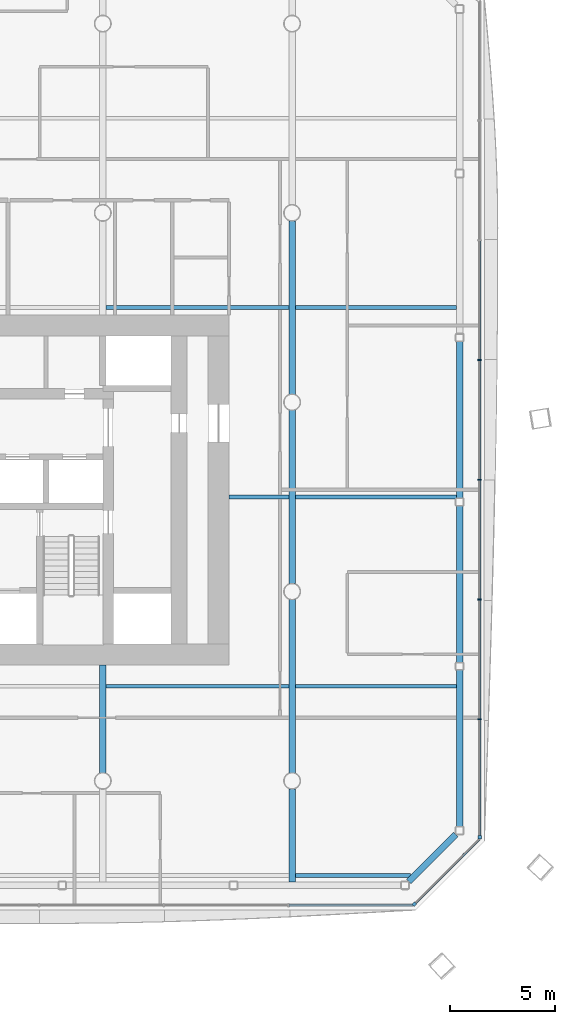
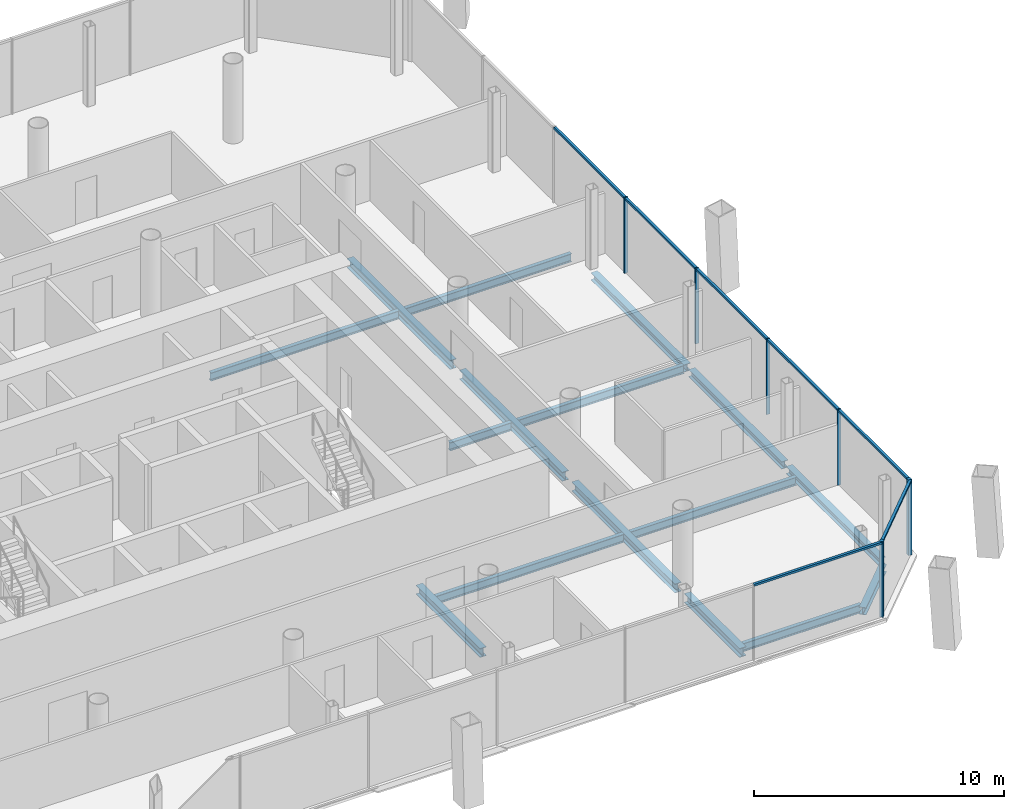
# One storey, part 6 of 19: 16 beams, 13 members, 3 elements without a shape of their own.
"""IFC4 building model written with IfcOpenShell, lengths in metres."""

from ifc_helpers import new_model, si_unit, direction, frame, origin, origin_2d, place, context, subcontext, project, spatial, rectangle, i_section, extrude, material, material_profile, profile_set, type_object, element, aggregate, save


model = new_model("IFC4")

# Units and contexts
model_context = context("Model", 3, precision=1e-05, world=origin(), true_north=direction((0.0, 1.0)))
body_context = subcontext(model_context, "Body", "Model", "MODEL_VIEW")
ifc_project = project(units=[si_unit("LENGTHUNIT", "METRE"), si_unit("AREAUNIT", "SQUARE_METRE"), si_unit("VOLUMEUNIT", "CUBIC_METRE"), si_unit("PLANEANGLEUNIT", "RADIAN"), si_unit("MASSUNIT", "GRAM", prefix="KILO")], contexts=[model_context])

# Site, building, storey
site_placement = place(None, origin())
site = spatial("IfcSite", under=ifc_project, at=site_placement, CompositionType="ELEMENT")
building_placement = place(site_placement, origin())
building = spatial("IfcBuilding", under=site, at=building_placement, Name="Tskaro Facet Tower", CompositionType="ELEMENT")
storey_placement = place(building_placement, frame((0.0, 0.0, 101.10009765625)))
storey = spatial("IfcBuildingStorey", under=building, at=storey_placement, Name="L24", CompositionType="ELEMENT", Elevation=101.10009765625)

# Curtain wall, member
ifc_material_1 = material(Name="Bronze anodised aluminium 6063-T6", Category="aluminium")
curtain_wall_type = type_object("IfcCurtainWallType", Name="Bronze office curtain wall (FW1)", PredefinedType="NOTDEFINED", material=ifc_material_1)
curtain_wall_1_placement = place(storey_placement, origin())
curtain_wall_1 = element("IfcCurtainWall", 1, at=curtain_wall_1_placement, inside=storey, type_object=curtain_wall_type, Name="FW1 south-east facet L24", PredefinedType="NOTDEFINED")
ifc_material_profile_1 = material_profile(ifc_material_1, rectangle(XDim=0.159912109375, YDim=0.159912109375, at=origin_2d()), Name="Corner post 160x160")
ifc_profile_set_1 = profile_set([ifc_material_profile_1], Name="Bronze anodised aluminium 6063-T6")
member_type_1 = type_object("IfcMemberType", Name="FW1 bronze corner post 160x160", PredefinedType="MULLION", material=ifc_profile_set_1)
member_1_placement = place(storey_placement, frame((23.8134765625, -23.8583984375, 0.0), z_axis=(0.0, 0.0, 1.0), x_axis=(0.707106781187, 0.707106781187, 0.0)))
member_1 = element("IfcMember", 2, at=member_1_placement, type_object=member_type_1, Name="FW1 south-east corner post", PredefinedType="MULLION", context=body_context, shape_type="SweptSolid", body=[
    extrude(rectangle(XDim=0.159912109375, YDim=0.159912109375, at=origin_2d()), origin(), (0.0, 0.0, 1.0), 3.699951171875),
])

# Curtain wall, members
curtain_wall_2_placement = place(storey_placement, origin())
curtain_wall_2 = element("IfcCurtainWall", 3, at=curtain_wall_2_placement, inside=storey, type_object=curtain_wall_type, Name="FW1 east facet L24", PredefinedType="NOTDEFINED")
member_2_placement = place(storey_placement, frame((26.9150390625, -20.677001953125, 0.0), z_axis=(0.0, 0.0, 1.0), x_axis=(0.0, 1.0, 0.0)))
member_2 = element("IfcMember", 4, at=member_2_placement, type_object=member_type_1, Name="FW1 east corner post", PredefinedType="MULLION", context=body_context, shape_type="SweptSolid", body=[
    extrude(rectangle(XDim=0.159912109375, YDim=0.159912109375, at=origin_2d()), origin(), (0.0, 0.0, 1.0), 3.699951171875),
])
ifc_material_profile_2 = material_profile(ifc_material_1, rectangle(XDim=0.06005859375, YDim=0.159912109375, at=origin_2d()), Name="Mullion 60x160")
ifc_profile_set_2 = profile_set([ifc_material_profile_2], Name="Bronze anodised aluminium 6063-T6")
member_type_2 = type_object("IfcMemberType", Name="FW1 bronze mullion 60x160", PredefinedType="MULLION", material=ifc_profile_set_2)
member_3_placement = place(storey_placement, frame((26.9150390625, -15.065673828125, 0.0), z_axis=(0.0, 0.0, 1.0), x_axis=(0.0, 1.0, 0.0)))
member_3 = element("IfcMember", 5, at=member_3_placement, type_object=member_type_2, Name="FW1 east mullion 1", PredefinedType="MULLION", context=body_context, shape_type="SweptSolid", body=[
    extrude(rectangle(XDim=0.06005859375, YDim=0.159912109375, at=origin_2d()), origin(), (0.0, 0.0, 1.0), 3.699951171875),
])
member_4_placement = place(storey_placement, frame((26.9150390625, -9.3740234375, 0.0), z_axis=(0.0, 0.0, 1.0), x_axis=(0.0, 1.0, 0.0)))
member_4 = element("IfcMember", 6, at=member_4_placement, type_object=member_type_2, Name="FW1 east mullion 2", PredefinedType="MULLION", context=body_context, shape_type="SweptSolid", body=[
    extrude(rectangle(XDim=0.06005859375, YDim=0.159912109375, at=origin_2d()), origin(), (0.0, 0.0, 1.0), 3.699951171875),
])
member_5_placement = place(storey_placement, frame((26.9150390625, -3.6826171875, 0.0), z_axis=(0.0, 0.0, 1.0), x_axis=(0.0, 1.0, 0.0)))
member_5 = element("IfcMember", 7, at=member_5_placement, type_object=member_type_2, Name="FW1 east mullion 3", PredefinedType="MULLION", context=body_context, shape_type="SweptSolid", body=[
    extrude(rectangle(XDim=0.06005859375, YDim=0.159912109375, at=origin_2d()), origin(), (0.0, 0.0, 1.0), 3.699951171875),
])
member_6_placement = place(storey_placement, frame((26.9150390625, 2.0087890625, 0.0), z_axis=(0.0, 0.0, 1.0), x_axis=(0.0, 1.0, 0.0)))
member_6 = element("IfcMember", 8, at=member_6_placement, type_object=member_type_2, Name="FW1 east mullion 4", PredefinedType="MULLION", context=body_context, shape_type="SweptSolid", body=[
    extrude(rectangle(XDim=0.06005859375, YDim=0.159912109375, at=origin_2d()), origin(), (0.0, 0.0, 1.0), 3.699951171875),
])

# Curtain wall, member
curtain_wall_3_placement = place(storey_placement, origin())
curtain_wall_3 = element("IfcCurtainWall", 9, at=curtain_wall_3_placement, inside=storey, type_object=curtain_wall_type, Name="FW1 south facet L24", PredefinedType="NOTDEFINED")
ifc_material_profile_3 = material_profile(ifc_material_1, rectangle(XDim=0.1201171875, YDim=0.10009765625, at=origin_2d()), Name="Transom 120x100")
ifc_profile_set_3 = profile_set([ifc_material_profile_3], Name="Bronze anodised aluminium 6063-T6")
member_type_3 = type_object("IfcMemberType", Name="FW1 bronze transom 120x100", PredefinedType="USERDEFINED", material=ifc_profile_set_3)
member_7_placement = place(storey_placement, frame((17.8564453125, -23.9150390625, 3.64990234375), z_axis=(1.0, 0.0, 0.0), x_axis=(0.0, 1.0, 0.0)))
member_7 = element("IfcMember", 10, at=member_7_placement, type_object=member_type_3, Name="FW1 south transom 7.1", ObjectType="TRANSOM", PredefinedType="USERDEFINED", context=body_context, shape_type="SweptSolid", body=[
    extrude(rectangle(XDim=0.1201171875, YDim=0.10009765625, at=origin_2d()), origin(), (0.0, 0.0, 1.0), 5.900634765625),
])
aggregate(curtain_wall_3, [member_7])

# Member
member_8_placement = place(storey_placement, frame((23.8701171875, -23.8017578125, 3.64990234375), z_axis=(0.707135129525, 0.707078431712, 0.0), x_axis=(-0.707078431712, 0.707135129525, 0.0)))
member_8 = element("IfcMember", 11, at=member_8_placement, type_object=member_type_3, Name="FW1 south-east transom 1.1", ObjectType="TRANSOM", PredefinedType="USERDEFINED", context=body_context, shape_type="SweptSolid", body=[
    extrude(rectangle(XDim=0.1201171875, YDim=0.10009765625, at=origin_2d()), origin(), (0.0, 0.0, 1.0), 4.305908203125),
])

aggregate(curtain_wall_1, [member_1, member_8])

member_9_placement = place(storey_placement, frame((26.9150390625, -20.596923828125, 3.64990234375), z_axis=(0.0, 1.0, 0.0), x_axis=(-1.0, 0.0, 0.0)))
member_9 = element("IfcMember", 12, at=member_9_placement, type_object=member_type_3, Name="FW1 east transom 1.1", ObjectType="TRANSOM", PredefinedType="USERDEFINED", context=body_context, shape_type="SweptSolid", body=[
    extrude(rectangle(XDim=0.1201171875, YDim=0.10009765625, at=origin_2d()), origin(), (0.0, 0.0, 1.0), 5.50146484375),
])

member_10_placement = place(storey_placement, frame((26.9150390625, -15.03564453125, 3.64990234375), z_axis=(0.0, 1.0, 0.0), x_axis=(-1.0, 0.0, 0.0)))
member_10 = element("IfcMember", 13, at=member_10_placement, type_object=member_type_3, Name="FW1 east transom 2.1", ObjectType="TRANSOM", PredefinedType="USERDEFINED", context=body_context, shape_type="SweptSolid", body=[
    extrude(rectangle(XDim=0.1201171875, YDim=0.10009765625, at=origin_2d()), origin(), (0.0, 0.0, 1.0), 5.631591796875),
])

member_11_placement = place(storey_placement, frame((26.9150390625, -9.34423828125, 3.64990234375), z_axis=(0.0, 1.0, 0.0), x_axis=(-1.0, 0.0, 0.0)))
member_11 = element("IfcMember", 14, at=member_11_placement, type_object=member_type_3, Name="FW1 east transom 3.1", ObjectType="TRANSOM", PredefinedType="USERDEFINED", context=body_context, shape_type="SweptSolid", body=[
    extrude(rectangle(XDim=0.1201171875, YDim=0.10009765625, at=origin_2d()), origin(), (0.0, 0.0, 1.0), 5.631591796875),
])

member_12_placement = place(storey_placement, frame((26.9150390625, -3.65283203125, 3.64990234375), z_axis=(0.0, 1.0, 0.0), x_axis=(-1.0, 0.0, 0.0)))
member_12 = element("IfcMember", 15, at=member_12_placement, type_object=member_type_3, Name="FW1 east transom 4.1", ObjectType="TRANSOM", PredefinedType="USERDEFINED", context=body_context, shape_type="SweptSolid", body=[
    extrude(rectangle(XDim=0.1201171875, YDim=0.10009765625, at=origin_2d()), origin(), (0.0, 0.0, 1.0), 5.631591796875),
])

member_13_placement = place(storey_placement, frame((26.9150390625, 2.038818359375, 3.64990234375), z_axis=(0.0, 1.0, 0.0), x_axis=(-1.0, 0.0, 0.0)))
member_13 = element("IfcMember", 16, at=member_13_placement, type_object=member_type_3, Name="FW1 east transom 5.1", ObjectType="TRANSOM", PredefinedType="USERDEFINED", context=body_context, shape_type="SweptSolid", body=[
    extrude(rectangle(XDim=0.1201171875, YDim=0.10009765625, at=origin_2d()), origin(), (0.0, 0.0, 1.0), 5.63134765625),
])

aggregate(curtain_wall_2, [member_2, member_3, member_4, member_5, member_6, member_9, member_10, member_11, member_12, member_13])

# Beams
ifc_material_2 = material(Name="Steel S355J2", Category="steel")
ifc_material_profile_4 = material_profile(ifc_material_2, i_section(OverallWidth=0.300048828125, OverallDepth=0.360107421875, WebThickness=0.012451171875, FlangeThickness=0.0224609375, FilletRadius=0.027099609375, at=origin_2d()), Name="HE 360 B")
ifc_profile_set_4 = profile_set([ifc_material_profile_4], Name="Steel S355J2")
beam_type_1 = type_object("IfcBeamType", Name="HE 360 B ring beam", PredefinedType="BEAM", material=ifc_profile_set_4)
beam_1_placement = place(storey_placement, frame((23.5498046875, -22.779052734375, -0.320068359375), z_axis=(0.707106781187, 0.707106781187, 0.0), x_axis=(-0.707106781187, 0.707106781187, 0.0)))
element("IfcBeam", 17, at=beam_1_placement, inside=storey, type_object=beam_type_1, Name="HE 360 B EB6-2", PredefinedType="BEAM", context=body_context, shape_type="SweptSolid", body=[
    extrude(i_section(OverallWidth=0.300048828125, OverallDepth=0.360107421875, WebThickness=0.012451171875, FlangeThickness=0.0224609375, FilletRadius=0.027099609375, at=origin_2d()), origin(), (0.0, 0.0, 1.0), 3.152587890625),
])
beam_2_placement = place(storey_placement, frame((25.965087890625, -20.18408203125, -0.320068359375), z_axis=(0.0, 1.0, 0.0), x_axis=(-1.0, 0.0, 0.0)))
element("IfcBeam", 18, at=beam_2_placement, inside=storey, type_object=beam_type_1, Name="HE 360 B EB7-2", PredefinedType="BEAM", context=body_context, shape_type="SweptSolid", body=[
    extrude(i_section(OverallWidth=0.300048828125, OverallDepth=0.360107421875, WebThickness=0.012451171875, FlangeThickness=0.0224609375, FilletRadius=0.027099609375, at=origin_2d()), origin(), (0.0, 0.0, 1.0), 7.451171875),
])
beam_3_placement = place(storey_placement, frame((25.965087890625, -12.373046875, -0.320068359375), z_axis=(0.0, 1.0, 0.0), x_axis=(-1.0, 0.0, 0.0)))
element("IfcBeam", 19, at=beam_3_placement, inside=storey, type_object=beam_type_1, Name="HE 360 B EB8-2", PredefinedType="BEAM", context=body_context, shape_type="SweptSolid", body=[
    extrude(i_section(OverallWidth=0.300048828125, OverallDepth=0.360107421875, WebThickness=0.012451171875, FlangeThickness=0.0224609375, FilletRadius=0.027099609375, at=origin_2d()), origin(), (0.0, 0.0, 1.0), 7.450927734375),
])
beam_4_placement = place(storey_placement, frame((25.965087890625, -4.56201171875, -0.320068359375), z_axis=(0.0, 1.0, 0.0), x_axis=(-1.0, 0.0, 0.0)))
element("IfcBeam", 20, at=beam_4_placement, inside=storey, type_object=beam_type_1, Name="HE 360 B EB9-2", PredefinedType="BEAM", context=body_context, shape_type="SweptSolid", body=[
    extrude(i_section(OverallWidth=0.300048828125, OverallDepth=0.360107421875, WebThickness=0.012451171875, FlangeThickness=0.0224609375, FilletRadius=0.027099609375, at=origin_2d()), origin(), (0.0, 0.0, 1.0), 7.449951171875),
])
ifc_material_profile_5 = material_profile(ifc_material_2, i_section(OverallWidth=0.300048828125, OverallDepth=0.43994140625, WebThickness=0.011474609375, FlangeThickness=0.02099609375, FilletRadius=0.027099609375, at=origin_2d()), Name="HE 450 A")
ifc_profile_set_5 = profile_set([ifc_material_profile_5], Name="Steel S355J2")
beam_type_2 = type_object("IfcBeamType", Name="HE 450 A girder", PredefinedType="BEAM", material=ifc_profile_set_5)
beam_5_placement = place(storey_placement, frame((9.0, -17.62353515625, -0.360107421875), z_axis=(0.0, 1.0, 0.0), x_axis=(-1.0, 0.0, 0.0)))
element("IfcBeam", 21, at=beam_5_placement, inside=storey, type_object=beam_type_2, Name="HE 450 A GB5-2-2", PredefinedType="BEAM", context=body_context, shape_type="SweptSolid", body=[
    extrude(i_section(OverallWidth=0.300048828125, OverallDepth=0.43994140625, WebThickness=0.011474609375, FlangeThickness=0.02099609375, FilletRadius=0.027099609375, at=origin_2d()), origin(), (0.0, 0.0, 1.0), 5.12353515625),
])
beam_6_placement = place(storey_placement, frame((18.0, -22.81494140625, -0.360107421875), z_axis=(0.0, 1.0, 0.0), x_axis=(-1.0, 0.0, 0.0)))
element("IfcBeam", 22, at=beam_6_placement, inside=storey, type_object=beam_type_2, Name="HE 450 A GB6-1-2", PredefinedType="BEAM", context=body_context, shape_type="SweptSolid", body=[
    extrude(i_section(OverallWidth=0.300048828125, OverallDepth=0.43994140625, WebThickness=0.011474609375, FlangeThickness=0.02099609375, FilletRadius=0.027099609375, at=origin_2d()), origin(), (0.0, 0.0, 1.0), 4.4384765625),
])
for number, where, z_axis, x_axis, name in (
    (23, (18.0, -17.62353515625, -0.360107421875), (0.0, 1.0, 0.0), (-1.0, 0.0, 0.0), "HE 450 A GB6-2-2"),
    (24, (18.0, -8.62353515625, -0.360107421875), (0.0, 1.0, 0.0), (-1.0, 0.0, 0.0), "HE 450 A GB6-3-2"),
    (25, (18.0, 0.37646484375, -0.360107421875), (0.0, 1.0, 0.0), (-1.0, 0.0, 0.0), "HE 450 A GB6-4-2"),
):
    element("IfcBeam", number, at=place(storey_placement, frame(where, z_axis=z_axis, x_axis=x_axis)), inside=storey, type_object=beam_type_2, Name=name, PredefinedType="BEAM", context=body_context, shape_type="SweptSolid", body=[
        extrude(i_section(OverallWidth=0.300048828125, OverallDepth=0.43994140625, WebThickness=0.011474609375, FlangeThickness=0.02099609375, FilletRadius=0.027099609375, at=origin_2d()), origin(), (0.0, 0.0, 1.0), 8.2470703125),
    ])
ifc_material_profile_6 = material_profile(ifc_material_2, i_section(OverallWidth=0.179931640625, OverallDepth=0.39990234375, WebThickness=0.008544921875, FlangeThickness=0.013427734375, FilletRadius=0.02099609375, at=origin_2d()), Name="IPE 400")
ifc_profile_set_6 = profile_set([ifc_material_profile_6], Name="Steel S355J2")
beam_type_3 = type_object("IfcBeamType", Name="IPE 400 secondary beam", PredefinedType="BEAM", material=ifc_profile_set_6)
beam_7_placement = place(storey_placement, frame((18.14990234375, -22.5, -0.340087890625), z_axis=(1.0, 0.0, 0.0), x_axis=(0.0, 1.0, 0.0)))
element("IfcBeam", 26, at=beam_7_placement, inside=storey, type_object=beam_type_3, Name="IPE 400 SB1a-5-2", PredefinedType="BEAM", context=body_context, shape_type="SweptSolid", body=[
    extrude(i_section(OverallWidth=0.179931640625, OverallDepth=0.39990234375, WebThickness=0.008544921875, FlangeThickness=0.013427734375, FilletRadius=0.02099609375, at=origin_2d()), origin(), (0.0, 0.0, 1.0), 5.467041015625),
])
beam_8_placement = place(storey_placement, frame((9.14990234375, -13.5, -0.340087890625), z_axis=(1.0, 0.0, 0.0), x_axis=(0.0, 1.0, 0.0)))
element("IfcBeam", 27, at=beam_8_placement, inside=storey, type_object=beam_type_3, Name="IPE 400 SB2a-4-2", PredefinedType="BEAM", context=body_context, shape_type="SweptSolid", body=[
    extrude(i_section(OverallWidth=0.179931640625, OverallDepth=0.39990234375, WebThickness=0.008544921875, FlangeThickness=0.013427734375, FilletRadius=0.02099609375, at=origin_2d()), origin(), (0.0, 0.0, 1.0), 8.7001953125),
])
beam_9_placement = place(storey_placement, frame((18.14990234375, -13.5, -0.340087890625), z_axis=(1.0, 0.0, 0.0), x_axis=(0.0, 1.0, 0.0)))
element("IfcBeam", 28, at=beam_9_placement, inside=storey, type_object=beam_type_3, Name="IPE 400 SB2a-5-2", PredefinedType="BEAM", context=body_context, shape_type="SweptSolid", body=[
    extrude(i_section(OverallWidth=0.179931640625, OverallDepth=0.39990234375, WebThickness=0.008544921875, FlangeThickness=0.013427734375, FilletRadius=0.02099609375, at=origin_2d()), origin(), (0.0, 0.0, 1.0), 7.6650390625),
])
beam_10_placement = place(storey_placement, frame((15.0, -4.5, -0.340087890625), z_axis=(1.0, 0.0, 0.0), x_axis=(0.0, 1.0, 0.0)))
element("IfcBeam", 29, at=beam_10_placement, inside=storey, type_object=beam_type_3, Name="IPE 400 SB3a-2-2", PredefinedType="BEAM", context=body_context, shape_type="SweptSolid", body=[
    extrude(i_section(OverallWidth=0.179931640625, OverallDepth=0.39990234375, WebThickness=0.008544921875, FlangeThickness=0.013427734375, FilletRadius=0.02099609375, at=origin_2d()), origin(), (0.0, 0.0, 1.0), 2.85009765625),
])
beam_11_placement = place(storey_placement, frame((18.14990234375, -4.5, -0.340087890625), z_axis=(1.0, 0.0, 0.0), x_axis=(0.0, 1.0, 0.0)))
element("IfcBeam", 30, at=beam_11_placement, inside=storey, type_object=beam_type_3, Name="IPE 400 SB3a-3-2", PredefinedType="BEAM", context=body_context, shape_type="SweptSolid", body=[
    extrude(i_section(OverallWidth=0.179931640625, OverallDepth=0.39990234375, WebThickness=0.008544921875, FlangeThickness=0.013427734375, FilletRadius=0.02099609375, at=origin_2d()), origin(), (0.0, 0.0, 1.0), 7.6650390625),
])
beam_12_placement = place(storey_placement, frame((9.14990234375, 4.5, -0.340087890625), z_axis=(1.0, 0.0, 0.0), x_axis=(0.0, 1.0, 0.0)))
element("IfcBeam", 31, at=beam_12_placement, inside=storey, type_object=beam_type_3, Name="IPE 400 SB4a-4-2", PredefinedType="BEAM", context=body_context, shape_type="SweptSolid", body=[
    extrude(i_section(OverallWidth=0.179931640625, OverallDepth=0.39990234375, WebThickness=0.008544921875, FlangeThickness=0.013427734375, FilletRadius=0.02099609375, at=origin_2d()), origin(), (0.0, 0.0, 1.0), 8.7001953125),
])
beam_13_placement = place(storey_placement, frame((18.14990234375, 4.5, -0.340087890625), z_axis=(1.0, 0.0, 0.0), x_axis=(0.0, 1.0, 0.0)))
element("IfcBeam", 32, at=beam_13_placement, inside=storey, type_object=beam_type_3, Name="IPE 400 SB4a-5-2", PredefinedType="BEAM", context=body_context, shape_type="SweptSolid", body=[
    extrude(i_section(OverallWidth=0.179931640625, OverallDepth=0.39990234375, WebThickness=0.008544921875, FlangeThickness=0.013427734375, FilletRadius=0.02099609375, at=origin_2d()), origin(), (0.0, 0.0, 1.0), 7.6650390625),
])

save(model, "model.ifc")
